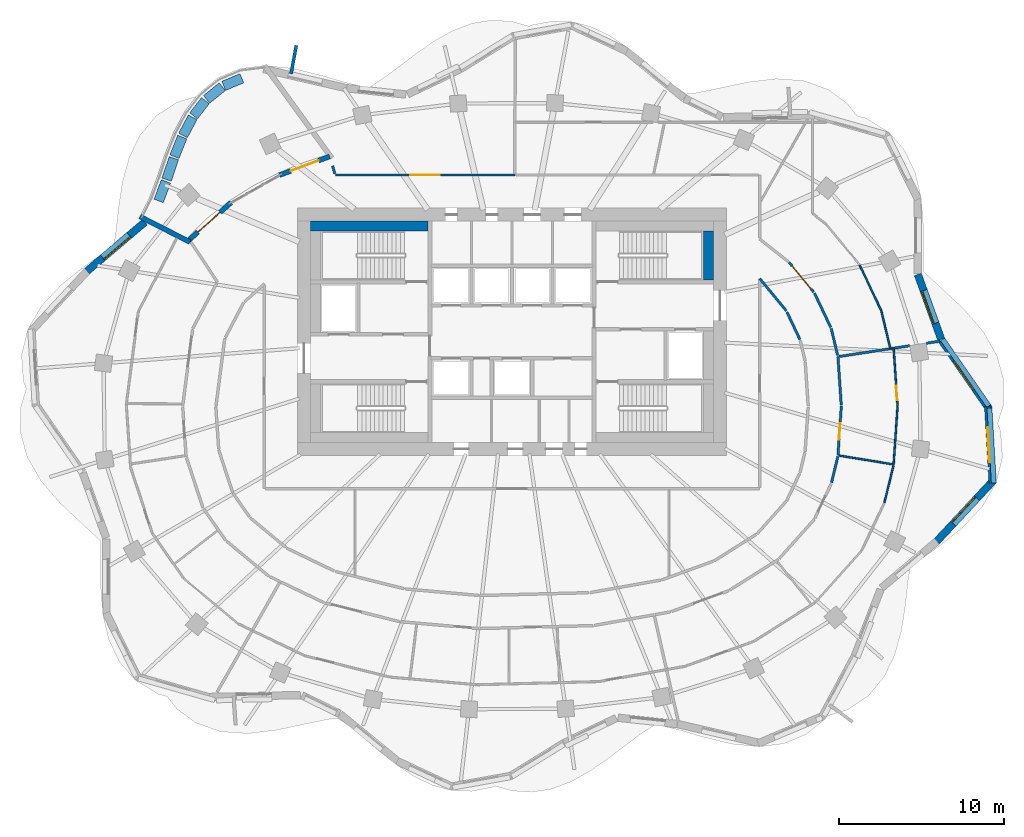
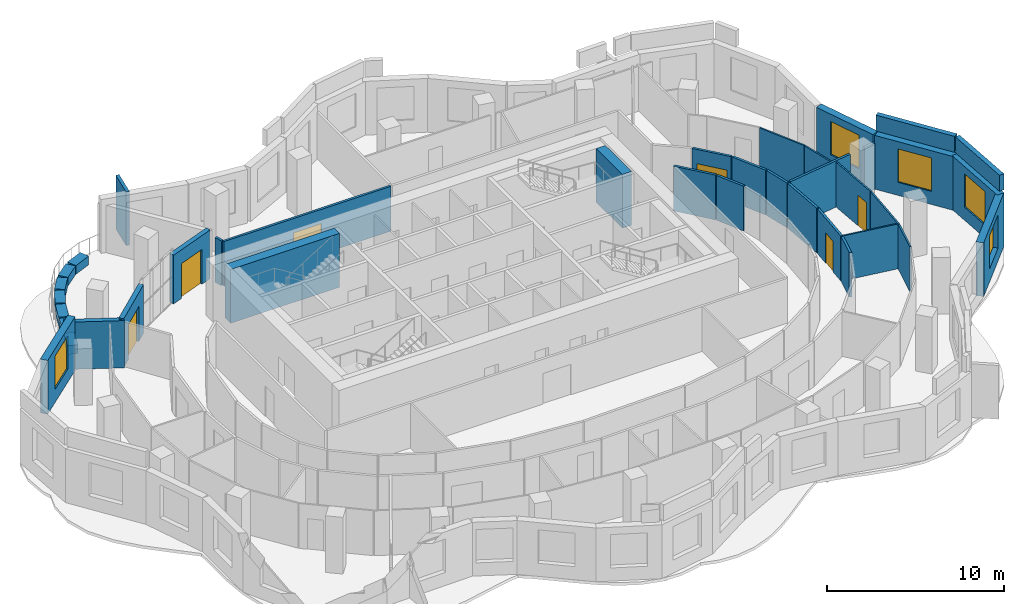
# One storey, part 9 of 13: 38 walls, 6 doors, 5 windows, 11 openings.
"""IFC4 building model written with IfcOpenShell, lengths in metres."""

from ifc_helpers import new_model, si_unit, direction, frame, frame_2d, origin, place, context, subcontext, project, spatial, rectangle, extrude, material, layer, layer_set, type_object, element, fill, save


model = new_model("IFC4")

# Units and contexts
model_context = context("Model", 3, precision=1e-05, world=origin(), true_north=direction((0.0, 1.0)))
body_context = subcontext(model_context, "Body", "Model", "MODEL_VIEW")
ifc_project = project(units=[si_unit("LENGTHUNIT", "METRE"), si_unit("AREAUNIT", "SQUARE_METRE"), si_unit("VOLUMEUNIT", "CUBIC_METRE"), si_unit("PLANEANGLEUNIT", "RADIAN"), si_unit("MASSUNIT", "GRAM", prefix="KILO")], contexts=[model_context])

# Site, building, storey
site_placement = place(None, origin())
site = spatial("IfcSite", under=ifc_project, at=site_placement, CompositionType="ELEMENT")
building_placement = place(site_placement, origin())
building = spatial("IfcBuilding", under=site, at=building_placement, Name="Rubra Terraces Tower", CompositionType="ELEMENT")
storey_placement = place(building_placement, frame((0.0, 0.0, 189.60009765625)))
storey = spatial("IfcBuildingStorey", under=building, at=storey_placement, Name="L46", CompositionType="ELEMENT", Elevation=189.60009765625)

# Wall, opening, window
ifc_material_1 = material(Name="Brick masonry red-brown", Category="masonry")
ifc_layer_1 = layer(ifc_material_1, 0.449951171875)
ifc_layer_set_1 = layer_set([ifc_layer_1], Name="Brick masonry red-brown")
wall_type_1 = type_object("IfcWallType", Name="Brick facade wall 450", PredefinedType="SOLIDWALL", material=ifc_layer_set_1)
wall_1_placement = place(storey_placement, frame((28.87841796875, -0.122802734375, 0.0), z_axis=(0.0, 0.0, 1.0), x_axis=(-0.569394732999, 0.8220642542, 0.0)))
wall_1 = element("IfcWall", 1, at=wall_1_placement, inside=storey, type_object=wall_type_1, Name="Facade wall L46 bay 1", PredefinedType="SOLIDWALL", context=body_context, shape_type="SweptSolid", body=[
    extrude(rectangle(XDim=5.015869140625, YDim=0.449951171875, at=frame_2d((2.5078125, 0.0))), origin(), (0.0, 0.0, 1.0), 3.699951171875),
])
opening_1_placement = place(wall_1_placement, frame((1.4580078125, 0.0, 0.89990234375)))
opening_1 = element("IfcOpeningElement", 2, at=opening_1_placement, cuts=wall_1, Name="Opening W1B", PredefinedType="OPENING", context=body_context, shape_type="SweptSolid", body=[
    extrude(rectangle(XDim=2.10009765625, YDim=2.300048828125, at=frame_2d((1.050048828125, 1.14990234375))), frame((0.0, 0.23486328125, 0.0), z_axis=(0.0, -1.0, 0.0), x_axis=(1.0, 0.0, 0.0)), (0.0, 0.0, 1.0), 0.469970703125),
])
ifc_material_2 = material(Name="Clear glass in aluminium frame", Category="aluminium")
window_type = type_object("IfcWindowType", Name="Fixed deep-set window tall storey 2100 x 2300", PartitioningType="SINGLE_PANEL", PredefinedType="WINDOW", material=ifc_material_2)
window_1_placement = place(opening_1_placement, origin())
window_1 = element("IfcWindow", 3, at=window_1_placement, inside=storey, type_object=window_type, Name="Window L46 bay 1", OverallHeight=2.300048828125, OverallWidth=2.10009765625, PartitioningType="SINGLE_PANEL", PredefinedType="WINDOW", context=body_context, shape_type="SweptSolid", body=[
    extrude(rectangle(XDim=2.10009765625, YDim=2.300048828125, at=frame_2d((1.050048828125, 1.14990234375))), frame((0.0, 0.135009765625, 0.0), z_axis=(0.0, -1.0, 0.0), x_axis=(1.0, 0.0, 0.0)), (0.0, 0.0, 1.0), 0.06005859375),
])
fill(opening_1, window_1)

wall_2_placement = place(storey_placement, frame((25.99951171875, 4.047119140625, 0.0), z_axis=(0.0, 0.0, 1.0), x_axis=(-0.338924456066, 0.940813591037, 0.0)))
wall_2 = element("IfcWall", 4, at=wall_2_placement, inside=storey, type_object=wall_type_1, Name="Facade wall L46 bay 2", PredefinedType="SOLIDWALL", context=body_context, shape_type="SweptSolid", body=[
    extrude(rectangle(XDim=4.175048828125, YDim=0.449951171875, at=frame_2d((2.08740234375, 0.0))), origin(), (0.0, 0.0, 1.0), 3.699951171875),
])
opening_2_placement = place(wall_2_placement, frame((1.03759765625, 0.0, 0.89990234375)))
opening_2 = element("IfcOpeningElement", 5, at=opening_2_placement, cuts=wall_2, Name="Opening W1B", PredefinedType="OPENING", context=body_context, shape_type="SweptSolid", body=[
    extrude(rectangle(XDim=2.10009765625, YDim=2.300048828125, at=frame_2d((1.050048828125, 1.14990234375))), frame((0.0, 0.23486328125, 0.0), z_axis=(0.0, -1.0, 0.0), x_axis=(1.0, 0.0, 0.0)), (0.0, 0.0, 1.0), 0.469970703125),
])
window_2_placement = place(opening_2_placement, origin())
window_2 = element("IfcWindow", 6, at=window_2_placement, inside=storey, type_object=window_type, Name="Window L46 bay 2", OverallHeight=2.300048828125, OverallWidth=2.10009765625, PartitioningType="SINGLE_PANEL", PredefinedType="WINDOW", context=body_context, shape_type="SweptSolid", body=[
    extrude(rectangle(XDim=2.10009765625, YDim=2.300048828125, at=frame_2d((1.050048828125, 1.14990234375))), frame((0.0, 0.135009765625, 0.0), z_axis=(0.0, -1.0, 0.0), x_axis=(1.0, 0.0, 0.0)), (0.0, 0.0, 1.0), 0.06005859375),
])
fill(opening_2, window_2)

wall_3_placement = place(storey_placement, frame((-22.237548828125, 11.146728515625, 0.0), z_axis=(0.0, 0.0, 1.0), x_axis=(-0.762838614755, -0.64658893266, 0.0)))
wall_3 = element("IfcWall", 7, at=wall_3_placement, inside=storey, type_object=wall_type_1, Name="Facade wall L46 bay 18", PredefinedType="SOLIDWALL", context=body_context, shape_type="SweptSolid", body=[
    extrude(rectangle(XDim=4.584716796875, YDim=0.449951171875, at=frame_2d((2.29248046875, 0.0))), origin(), (0.0, 0.0, 1.0), 3.699951171875),
])
opening_3_placement = place(wall_3_placement, frame((1.2421875, 0.0, 0.89990234375)))
opening_3 = element("IfcOpeningElement", 8, at=opening_3_placement, cuts=wall_3, Name="Opening W1B", PredefinedType="OPENING", context=body_context, shape_type="SweptSolid", body=[
    extrude(rectangle(XDim=2.10009765625, YDim=2.300048828125, at=frame_2d((1.050048828125, 1.14990234375))), frame((0.0, 0.23486328125, 0.0), z_axis=(0.0, -1.0, 0.0), x_axis=(1.0, 0.0, 0.0)), (0.0, 0.0, 1.0), 0.469970703125),
])
window_3_placement = place(opening_3_placement, origin())
window_3 = element("IfcWindow", 9, at=window_3_placement, inside=storey, type_object=window_type, Name="Window L46 bay 18", OverallHeight=2.300048828125, OverallWidth=2.10009765625, PartitioningType="SINGLE_PANEL", PredefinedType="WINDOW", context=body_context, shape_type="SweptSolid", body=[
    extrude(rectangle(XDim=2.10009765625, YDim=2.300048828125, at=frame_2d((1.050048828125, 1.14990234375))), frame((0.0, 0.135009765625, 0.0), z_axis=(0.0, -1.0, 0.0), x_axis=(1.0, 0.0, 0.0)), (0.0, 0.0, 1.0), 0.06005859375),
])
fill(opening_3, window_3)

wall_4_placement = place(storey_placement, frame((25.716796875, -8.20068359375, 0.0), z_axis=(0.0, 0.0, 1.0), x_axis=(0.681990073025, 0.731361429319, 0.0)))
wall_4 = element("IfcWall", 10, at=wall_4_placement, inside=storey, type_object=wall_type_1, Name="Facade wall L46 bay 39", PredefinedType="SOLIDWALL", context=body_context, shape_type="SweptSolid", body=[
    extrude(rectangle(XDim=5.063720703125, YDim=0.449951171875, at=frame_2d((2.53173828125, 0.0))), origin(), (0.0, 0.0, 1.0), 3.699951171875),
])
opening_4_placement = place(wall_4_placement, frame((1.481689453125, 0.0, 0.89990234375)))
opening_4 = element("IfcOpeningElement", 11, at=opening_4_placement, cuts=wall_4, Name="Opening W1B", PredefinedType="OPENING", context=body_context, shape_type="SweptSolid", body=[
    extrude(rectangle(XDim=2.10009765625, YDim=2.300048828125, at=frame_2d((1.050048828125, 1.14990234375))), frame((0.0, 0.23486328125, 0.0), z_axis=(0.0, -1.0, 0.0), x_axis=(1.0, 0.0, 0.0)), (0.0, 0.0, 1.0), 0.469970703125),
])
window_4_placement = place(opening_4_placement, origin())
window_4 = element("IfcWindow", 12, at=window_4_placement, inside=storey, type_object=window_type, Name="Window L46 bay 39", OverallHeight=2.300048828125, OverallWidth=2.10009765625, PartitioningType="SINGLE_PANEL", PredefinedType="WINDOW", context=body_context, shape_type="SweptSolid", body=[
    extrude(rectangle(XDim=2.10009765625, YDim=2.300048828125, at=frame_2d((1.050048828125, 1.14990234375))), frame((0.0, 0.135009765625, 0.0), z_axis=(0.0, -1.0, 0.0), x_axis=(1.0, 0.0, 0.0)), (0.0, 0.0, 1.0), 0.06005859375),
])
fill(opening_4, window_4)

wall_5_placement = place(storey_placement, frame((29.11328125, -4.66015625, 0.0), z_axis=(0.0, 0.0, 1.0), x_axis=(-0.058217785859, 0.998303906338, 0.0)))
wall_5 = element("IfcWall", 13, at=wall_5_placement, inside=storey, type_object=wall_type_1, Name="Facade wall L46 bay 40", PredefinedType="SOLIDWALL", context=body_context, shape_type="SweptSolid", body=[
    extrude(rectangle(XDim=4.65478515625, YDim=0.449951171875, at=frame_2d((2.327392578125, 0.0))), origin(), (0.0, 0.0, 1.0), 3.699951171875),
])
opening_5_placement = place(wall_5_placement, frame((1.27734375, 0.0, 0.89990234375)))
opening_5 = element("IfcOpeningElement", 14, at=opening_5_placement, cuts=wall_5, Name="Opening W1B", PredefinedType="OPENING", context=body_context, shape_type="SweptSolid", body=[
    extrude(rectangle(XDim=2.10009765625, YDim=2.300048828125, at=frame_2d((1.050048828125, 1.14990234375))), frame((0.0, 0.23486328125, 0.0), z_axis=(0.0, -1.0, 0.0), x_axis=(1.0, 0.0, 0.0)), (0.0, 0.0, 1.0), 0.469970703125),
])
window_5_placement = place(opening_5_placement, origin())
window_5 = element("IfcWindow", 15, at=window_5_placement, inside=storey, type_object=window_type, Name="Window L46 bay 40", OverallHeight=2.300048828125, OverallWidth=2.10009765625, PartitioningType="SINGLE_PANEL", PredefinedType="WINDOW", context=body_context, shape_type="SweptSolid", body=[
    extrude(rectangle(XDim=2.10009765625, YDim=2.300048828125, at=frame_2d((1.050048828125, 1.14990234375))), frame((0.0, 0.135009765625, 0.0), z_axis=(0.0, -1.0, 0.0), x_axis=(1.0, 0.0, 0.0)), (0.0, 0.0, 1.0), 0.06005859375),
])
fill(opening_5, window_5)

# Walls
ifc_layer_2 = layer(ifc_material_1, 0.300048828125)
ifc_layer_set_2 = layer_set([ifc_layer_2], Name="Brick masonry red-brown")
wall_type_2 = type_object("IfcWallType", Name="Brick parapet 300", PredefinedType="PARAPET", material=ifc_layer_set_2)
wall_6_placement = place(storey_placement, frame((28.878662109375, 0.008544921875, 3.89990234375), z_axis=(0.0, 0.0, 1.0), x_axis=(-0.569370412902, 0.822081098744, 0.0)))
element("IfcWall", 16, at=wall_6_placement, inside=storey, type_object=wall_type_2, Name="Parapet L46 bay 1", PredefinedType="PARAPET", context=body_context, shape_type="SweptSolid", body=[
    extrude(rectangle(XDim=4.90576171875, YDim=0.300048828125, at=frame_2d((2.452880859375, 0.0))), origin(), (0.0, 0.0, 1.0), 1.10009765625),
])
wall_7_placement = place(storey_placement, frame((29.188232421875, -4.65576171875, 3.89990234375), z_axis=(0.0, 0.0, 1.0), x_axis=(-0.058230319325, 0.998303175349, 0.0)))
element("IfcWall", 17, at=wall_7_placement, inside=storey, type_object=wall_type_2, Name="Parapet L46 bay 40", PredefinedType="PARAPET", context=body_context, shape_type="SweptSolid", body=[
    extrude(rectangle(XDim=4.540771484375, YDim=0.300048828125, at=frame_2d((2.2705078125, 0.0))), origin(), (0.0, 0.0, 1.0), 1.10009765625),
])
ifc_layer_3 = layer(ifc_material_1, 0.199951171875)
ifc_layer_set_3 = layer_set([ifc_layer_3], Name="Brick masonry red-brown")
wall_type_3 = type_object("IfcWallType", Name="Brick wind fin 200", PredefinedType="SOLIDWALL", material=ifc_layer_set_3)
wall_8_placement = place(storey_placement, frame((-13.384033203125, 20.1298828125, 0.0), z_axis=(0.0, 0.0, 1.0), x_axis=(0.182334037205, 0.983236644393, 0.0)))
element("IfcWall", 18, at=wall_8_placement, inside=storey, type_object=wall_type_3, Name="Wind fin L46 7", PredefinedType="SOLIDWALL", context=body_context, shape_type="SweptSolid", body=[
    extrude(rectangle(XDim=1.75, YDim=0.199951171875, at=frame_2d((0.875, 0.0))), origin(), (0.0, 0.0, 1.0), 3.699951171875),
])

# Wall, opening, door
ifc_material_3 = material(Name="Plasterboard on steel stud, mineral wool infill", Category="steel")
ifc_layer_4 = layer(ifc_material_3, 0.14990234375)
ifc_layer_set_4 = layer_set([ifc_layer_4], Name="Plasterboard on steel stud, mineral wool infill")
wall_type_4 = type_object("IfcWallType", Name="CORRIDOR PARTITION 150", PredefinedType="PARTITIONING", material=ifc_layer_set_4)
wall_9_placement = place(storey_placement, frame((0.173095703125, 14.0, 0.0), z_axis=(0.0, 0.0, 1.0), x_axis=(-1.0, 0.0, 0.0)))
wall_9 = element("IfcWall", 19, at=wall_9_placement, inside=storey, type_object=wall_type_4, Name="PARTITION", PredefinedType="PARTITIONING", context=body_context, shape_type="SweptSolid", body=[
    extrude(rectangle(XDim=10.879150390625, YDim=0.14990234375, at=frame_2d((5.439453125, 0.0))), origin(), (0.0, 0.0, 1.0), 3.083984375),
])
opening_6_placement = place(wall_9_placement, frame((4.5390625, 0.0, 0.0)))
opening_6 = element("IfcOpeningElement", 20, at=opening_6_placement, cuts=wall_9, Name="Opening 46-101", PredefinedType="OPENING", context=body_context, shape_type="SweptSolid", body=[
    extrude(rectangle(XDim=1.800048828125, YDim=2.10009765625, at=frame_2d((0.89990234375, 1.050048828125))), frame((0.0, 0.0849609375, 0.0), z_axis=(0.0, -1.0, 0.0), x_axis=(1.0, 0.0, 0.0)), (0.0, 0.0, 1.0), 0.169921875),
])
ifc_material_4 = material(Name="Painted timber door leaf, double", Category="wood")
door_type_1 = type_object("IfcDoorType", Name="ROOM DOUBLE DOOR 1800 X 2100", OperationType="DOUBLE_DOOR_SINGLE_SWING", PredefinedType="DOOR", material=ifc_material_4)
door_1_placement = place(opening_6_placement, origin())
door_1 = element("IfcDoor", 21, at=door_1_placement, inside=storey, type_object=door_type_1, Name="DOOR 46-101", OperationType="DOUBLE_DOOR_SINGLE_SWING", OverallHeight=2.10009765625, OverallWidth=1.800048828125, PredefinedType="DOOR", context=body_context, shape_type="SweptSolid", body=[
    extrude(rectangle(XDim=1.800048828125, YDim=2.10009765625, at=frame_2d((0.89990234375, 1.050048828125))), frame((0.0, 0.02490234375, 0.0), z_axis=(0.0, -1.0, 0.0), x_axis=(1.0, 0.0, 0.0)), (0.0, 0.0, 1.0), 0.050048828125),
])
fill(opening_6, door_1)

# Walls
wall_10_placement = place(storey_placement, frame((-10.8662109375, 14.552001953125, 0.0), z_axis=(0.0, 0.0, 1.0), x_axis=(0.278911917194, -0.960316688623, 0.0)))
element("IfcWall", 22, at=wall_10_placement, inside=storey, type_object=wall_type_4, Name="PARTITION", PredefinedType="PARTITIONING", context=body_context, shape_type="SweptSolid", body=[
    extrude(rectangle(XDim=0.499755859375, YDim=0.14990234375, at=frame_2d((0.25, 0.0))), origin(), (0.0, 0.0, 1.0), 3.083984375),
])
wall_11_placement = place(storey_placement, frame((19.355224609375, -4.6328125, 0.0), z_axis=(0.0, 0.0, 1.0), x_axis=(0.236703930685, 0.971581828359, 0.0)))
element("IfcWall", 23, at=wall_11_placement, inside=storey, type_object=wall_type_4, Name="PARTITION", PredefinedType="PARTITIONING", context=body_context, shape_type="SweptSolid", body=[
    extrude(rectangle(XDim=1.62646484375, YDim=0.14990234375, at=frame_2d((0.813232421875, 0.0))), origin(), (0.0, 0.0, 1.0), 3.083984375),
])

# Wall, opening, door
wall_12_placement = place(storey_placement, frame((19.745361328125, -2.9775390625, 0.0), z_axis=(0.0, 0.0, 1.0), x_axis=(0.068142324, 0.997675610447, 0.0)))
wall_12 = element("IfcWall", 24, at=wall_12_placement, inside=storey, type_object=wall_type_4, Name="PARTITION", PredefinedType="PARTITIONING", context=body_context, shape_type="SweptSolid", body=[
    extrude(rectangle(XDim=2.984375, YDim=0.14990234375, at=frame_2d((1.4921875, 0.0))), origin(), (0.0, 0.0, 1.0), 3.083984375),
])
opening_7_placement = place(wall_12_placement, frame((0.949951171875, 0.0, 0.0)))
opening_7 = element("IfcOpeningElement", 25, at=opening_7_placement, cuts=wall_12, Name="Opening 46-123", PredefinedType="OPENING", context=body_context, shape_type="SweptSolid", body=[
    extrude(rectangle(XDim=1.0, YDim=2.10009765625, at=frame_2d((0.5, 1.050048828125))), frame((0.0, 0.0849609375, 0.0), z_axis=(0.0, -1.0, 0.0), x_axis=(1.0, 0.0, 0.0)), (0.0, 0.0, 1.0), 0.169921875),
])
ifc_material_5 = material(Name="Painted timber door leaf", Category="wood")
door_type_2 = type_object("IfcDoorType", Name="ROOM DOOR 1000 X 2100", OperationType="SINGLE_SWING_LEFT", PredefinedType="DOOR", material=ifc_material_5)
door_2_placement = place(opening_7_placement, origin())
door_2 = element("IfcDoor", 26, at=door_2_placement, inside=storey, type_object=door_type_2, Name="DOOR 46-123", OperationType="SINGLE_SWING_RIGHT", OverallHeight=2.10009765625, OverallWidth=1.0, PredefinedType="DOOR", context=body_context, shape_type="SweptSolid", body=[
    extrude(rectangle(XDim=1.0, YDim=2.10009765625, at=frame_2d((0.5, 1.050048828125))), frame((0.0, 0.02490234375, 0.0), z_axis=(0.0, -1.0, 0.0), x_axis=(1.0, 0.0, 0.0)), (0.0, 0.0, 1.0), 0.050048828125),
])
fill(opening_7, door_2)

# Walls
wall_13_placement = place(storey_placement, frame((19.943603515625, 0.07470703125, 0.0), z_axis=(0.0, 0.0, 1.0), x_axis=(-0.068069178311, 0.997680603682, 0.0)))
element("IfcWall", 27, at=wall_13_placement, inside=storey, type_object=wall_type_4, Name="PARTITION", PredefinedType="PARTITIONING", context=body_context, shape_type="SweptSolid", body=[
    extrude(rectangle(XDim=2.9267578125, YDim=0.14990234375, at=frame_2d((1.46337890625, 0.0))), origin(), (0.0, 0.0, 1.0), 3.083984375),
])
wall_14_placement = place(storey_placement, frame((19.726806640625, 3.067626953125, 0.0), z_axis=(0.0, 0.0, 1.0), x_axis=(-0.231293770986, 0.972883955826, 0.0)))
element("IfcWall", 28, at=wall_14_placement, inside=storey, type_object=wall_type_4, Name="PARTITION", PredefinedType="PARTITIONING", context=body_context, shape_type="SweptSolid", body=[
    extrude(rectangle(XDim=1.68359375, YDim=0.14990234375, at=frame_2d((0.841796875, 0.0))), origin(), (0.0, 0.0, 1.0), 3.083984375),
])
wall_15_placement = place(storey_placement, frame((19.305419921875, 4.7734375, 0.0), z_axis=(0.0, 0.0, 1.0), x_axis=(-0.428173054138, 0.903696760927, 0.0)))
element("IfcWall", 29, at=wall_15_placement, inside=storey, type_object=wall_type_4, Name="PARTITION", PredefinedType="PARTITIONING", context=body_context, shape_type="SweptSolid", body=[
    extrude(rectangle(XDim=2.299560546875, YDim=0.14990234375, at=frame_2d((1.14990234375, 0.0))), origin(), (0.0, 0.0, 1.0), 3.083984375),
])

# Wall, opening, door
wall_16_placement = place(storey_placement, frame((18.273193359375, 6.9091796875, 0.0), z_axis=(0.0, 0.0, 1.0), x_axis=(-0.63653648943, 0.771246586783, 0.0)))
wall_16 = element("IfcWall", 30, at=wall_16_placement, inside=storey, type_object=wall_type_4, Name="PARTITION", PredefinedType="PARTITIONING", context=body_context, shape_type="SweptSolid", body=[
    extrude(rectangle(XDim=2.341552734375, YDim=0.14990234375, at=frame_2d((1.1708984375, 0.0))), origin(), (0.0, 0.0, 1.0), 3.083984375),
])
opening_8_placement = place(wall_16_placement, frame((0.25, 0.0, 0.0)))
opening_8 = element("IfcOpeningElement", 31, at=opening_8_placement, cuts=wall_16, Name="Opening 46-115", PredefinedType="OPENING", context=body_context, shape_type="SweptSolid", body=[
    extrude(rectangle(XDim=1.800048828125, YDim=2.10009765625, at=frame_2d((0.89990234375, 1.050048828125))), frame((0.0, 0.0849609375, 0.0), z_axis=(0.0, -1.0, 0.0), x_axis=(1.0, 0.0, 0.0)), (0.0, 0.0, 1.0), 0.169921875),
])
door_3_placement = place(opening_8_placement, origin())
door_3 = element("IfcDoor", 32, at=door_3_placement, inside=storey, type_object=door_type_1, Name="DOOR 46-115", OperationType="DOUBLE_DOOR_SINGLE_SWING", OverallHeight=2.10009765625, OverallWidth=1.800048828125, PredefinedType="DOOR", context=body_context, shape_type="SweptSolid", body=[
    extrude(rectangle(XDim=1.800048828125, YDim=2.10009765625, at=frame_2d((0.89990234375, 1.050048828125))), frame((0.0, 0.02490234375, 0.0), z_axis=(0.0, -1.0, 0.0), x_axis=(1.0, 0.0, 0.0)), (0.0, 0.0, 1.0), 0.050048828125),
])
fill(opening_8, door_3)

# Walls
wall_17_placement = place(storey_placement, frame((15.0, 7.73291015625, 0.0), z_axis=(0.0, 0.0, 1.0), x_axis=(0.636601263488, -0.771193121938, 0.0)))
element("IfcWall", 33, at=wall_17_placement, inside=storey, type_object=wall_type_4, Name="PARTITION", PredefinedType="PARTITIONING", context=body_context, shape_type="SweptSolid", body=[
    extrude(rectangle(XDim=2.544921875, YDim=0.14990234375, at=frame_2d((1.2724609375, 0.0))), origin(), (0.0, 0.0, 1.0), 3.083984375),
])
wall_18_placement = place(storey_placement, frame((16.652099609375, 5.702392578125, 0.0), z_axis=(0.0, 0.0, 1.0), x_axis=(0.428126129773, -0.903718992279, 0.0)))
element("IfcWall", 34, at=wall_18_placement, inside=storey, type_object=wall_type_4, Name="PARTITION", PredefinedType="PARTITIONING", context=body_context, shape_type="SweptSolid", body=[
    extrude(rectangle(XDim=1.846435546875, YDim=0.14990234375, at=frame_2d((0.92333984375, 0.0))), origin(), (0.0, 0.0, 1.0), 3.083984375),
])
ifc_material_6 = material(Name="Concrete C40", Category="concrete")
ifc_layer_5 = layer(ifc_material_6, 0.60009765625)
ifc_layer_set_5 = layer_set([ifc_layer_5], Name="Concrete C40")
wall_type_5 = type_object("IfcWallType", Name="Core lining wall 600 concrete", PredefinedType="SOLIDWALL", material=ifc_layer_set_5)
wall_19_placement = place(storey_placement, frame((-12.199951171875, 10.89990234375, 0.0), z_axis=(0.0, 0.0, 1.0), x_axis=(1.0, 0.0, 0.0)))
element("IfcWall", 35, at=wall_19_placement, inside=storey, type_object=wall_type_5, Name="CORE LINING WALL L46", PredefinedType="SOLIDWALL", context=body_context, shape_type="SweptSolid", body=[
    extrude(rectangle(XDim=7.099853515625, YDim=0.60009765625, at=frame_2d((3.5498046875, 0.0))), origin(), (0.0, 0.0, 1.0), 3.699951171875),
])
wall_20_placement = place(storey_placement, frame((11.89990234375, 10.60009765625, 0.0), z_axis=(0.0, 0.0, 1.0), x_axis=(0.0, -1.0, 0.0)))
element("IfcWall", 36, at=wall_20_placement, inside=storey, type_object=wall_type_5, Name="CORE LINING WALL L46", PredefinedType="SOLIDWALL", context=body_context, shape_type="SweptSolid", body=[
    extrude(rectangle(XDim=2.9501953125, YDim=0.60009765625, at=frame_2d((1.47509765625, 0.0))), origin(), (0.0, 0.0, 1.0), 3.699951171875),
])

# Wall, opening, door
ifc_material_7 = material(Name="Brick masonry with ochre lime render", Category="masonry")
ifc_layer_6 = layer(ifc_material_7, 0.300048828125)
ifc_layer_set_6 = layer_set([ifc_layer_6], Name="Brick masonry with ochre lime render")
wall_type_6 = type_object("IfcWallType", Name="Ochre rendered brick wall 300", PredefinedType="SOLIDWALL", material=ifc_layer_set_6)
wall_21_placement = place(storey_placement, frame((-11.039794921875, 15.12646484375, 0.0), z_axis=(0.0, 0.0, 1.0), x_axis=(-0.937240711156, -0.348683021312, 0.0)))
wall_21 = element("IfcWall", 37, at=wall_21_placement, inside=storey, type_object=wall_type_6, Name="Terrace wall L46 bay 15", PredefinedType="SOLIDWALL", context=body_context, shape_type="SweptSolid", body=[
    extrude(rectangle(XDim=3.246826171875, YDim=0.300048828125, at=frame_2d((1.62353515625, 0.0))), origin(), (0.0, 0.0, 1.0), 3.349853515625),
])
opening_9_placement = place(wall_21_placement, frame((0.723388671875, 0.0, 0.0)))
opening_9 = element("IfcOpeningElement", 38, at=opening_9_placement, cuts=wall_21, Name="Opening T46.1", PredefinedType="OPENING", context=body_context, shape_type="SweptSolid", body=[
    extrude(rectangle(XDim=1.800048828125, YDim=2.39990234375, at=frame_2d((0.89990234375, 1.199951171875))), frame((0.0, 0.159912109375, 0.0), z_axis=(0.0, -1.0, 0.0), x_axis=(1.0, 0.0, 0.0)), (0.0, 0.0, 1.0), 0.320068359375),
])
ifc_material_8 = material(Name="Glazed aluminium door leaf", Category="aluminium")
door_type_3 = type_object("IfcDoorType", Name="Terrace double door 1800 x 2400", OperationType="DOUBLE_DOOR_DOUBLE_SWING", PredefinedType="DOOR", material=ifc_material_8)
door_4_placement = place(opening_9_placement, origin())
door_4 = element("IfcDoor", 39, at=door_4_placement, inside=storey, type_object=door_type_3, Name="Terrace door L46.1", OperationType="DOUBLE_DOOR_DOUBLE_SWING", OverallHeight=2.39990234375, OverallWidth=1.800048828125, PredefinedType="DOOR", context=body_context, shape_type="SweptSolid", body=[
    extrude(rectangle(XDim=1.800048828125, YDim=2.39990234375, at=frame_2d((0.89990234375, 1.199951171875))), frame((0.0, 0.02490234375, 0.0), z_axis=(0.0, -1.0, 0.0), x_axis=(1.0, 0.0, 0.0)), (0.0, 0.0, 1.0), 0.050048828125),
])
fill(opening_9, door_4)

wall_22_placement = place(storey_placement, frame((-17.022216796875, 12.328125, 0.0), z_axis=(0.0, 0.0, 1.0), x_axis=(-0.74635077665, -0.66555279144, 0.0)))
wall_22 = element("IfcWall", 40, at=wall_22_placement, inside=storey, type_object=wall_type_6, Name="Terrace wall L46 bay 17", PredefinedType="SOLIDWALL", context=body_context, shape_type="SweptSolid", body=[
    extrude(rectangle(XDim=3.553466796875, YDim=0.300048828125, at=frame_2d((1.77685546875, 0.0))), origin(), (0.0, 0.0, 1.0), 3.349853515625),
])
opening_10_placement = place(wall_22_placement, frame((0.876708984375, 0.0, 0.0)))
opening_10 = element("IfcOpeningElement", 41, at=opening_10_placement, cuts=wall_22, Name="Opening T46.2", PredefinedType="OPENING", context=body_context, shape_type="SweptSolid", body=[
    extrude(rectangle(XDim=1.800048828125, YDim=2.39990234375, at=frame_2d((0.89990234375, 1.199951171875))), frame((0.0, 0.159912109375, 0.0), z_axis=(0.0, -1.0, 0.0), x_axis=(1.0, 0.0, 0.0)), (0.0, 0.0, 1.0), 0.320068359375),
])
door_5_placement = place(opening_10_placement, origin())
door_5 = element("IfcDoor", 42, at=door_5_placement, inside=storey, type_object=door_type_3, Name="Terrace door L46.2", OperationType="DOUBLE_DOOR_DOUBLE_SWING", OverallHeight=2.39990234375, OverallWidth=1.800048828125, PredefinedType="DOOR", context=body_context, shape_type="SweptSolid", body=[
    extrude(rectangle(XDim=1.800048828125, YDim=2.39990234375, at=frame_2d((0.89990234375, 1.199951171875))), frame((0.0, 0.02490234375, 0.0), z_axis=(0.0, -1.0, 0.0), x_axis=(1.0, 0.0, 0.0)), (0.0, 0.0, 1.0), 0.050048828125),
])
fill(opening_10, door_5)

# Walls
ifc_layer_7 = layer(ifc_material_7, 0.60009765625)
ifc_layer_set_7 = layer_set([ifc_layer_7], Name="Brick masonry with ochre lime render")
wall_type_7 = type_object("IfcWallType", Name="Planter box 600", PredefinedType="SOLIDWALL", material=ifc_layer_set_7)
wall_23_placement = place(storey_placement, frame((-16.36328125, 19.859130859375, 0.0), z_axis=(0.0, 0.0, 1.0), x_axis=(-0.923004085697, -0.384790147726, 0.0)))
element("IfcWall", 43, at=wall_23_placement, inside=storey, type_object=wall_type_7, Name="Planter L46.2", PredefinedType="SOLIDWALL", context=body_context, shape_type="SweptSolid", body=[
    extrude(rectangle(XDim=1.190185546875, YDim=0.60009765625, at=frame_2d((0.59521484375, 0.0))), origin(), (0.0, 0.0, 1.0), 0.599853515625),
])
wall_24_placement = place(storey_placement, frame((-17.546875, 19.3505859375, 0.0), z_axis=(0.0, 0.0, 1.0), x_axis=(-0.777810165386, -0.628499281322, 0.0)))
element("IfcWall", 44, at=wall_24_placement, inside=storey, type_object=wall_type_7, Name="Planter L46.3", PredefinedType="SOLIDWALL", context=body_context, shape_type="SweptSolid", body=[
    extrude(rectangle(XDim=1.226318359375, YDim=0.60009765625, at=frame_2d((0.61328125, 0.0))), origin(), (0.0, 0.0, 1.0), 0.599853515625),
])
wall_25_placement = place(storey_placement, frame((-18.5703125, 18.5087890625, 0.0), z_axis=(0.0, 0.0, 1.0), x_axis=(-0.611921285633, -0.790918668505, 0.0)))
element("IfcWall", 45, at=wall_25_placement, inside=storey, type_object=wall_type_7, Name="Planter L46.4", PredefinedType="SOLIDWALL", context=body_context, shape_type="SweptSolid", body=[
    extrude(rectangle(XDim=1.173095703125, YDim=0.60009765625, at=frame_2d((0.58642578125, 0.0))), origin(), (0.0, 0.0, 1.0), 0.599853515625),
])
wall_26_placement = place(storey_placement, frame((-19.34228515625, 17.497314453125, 0.0), z_axis=(0.0, 0.0, 1.0), x_axis=(-0.469888370812, -0.882725845875, 0.0)))
element("IfcWall", 46, at=wall_26_placement, inside=storey, type_object=wall_type_7, Name="Planter L46.5", PredefinedType="SOLIDWALL", context=body_context, shape_type="SweptSolid", body=[
    extrude(rectangle(XDim=1.24951171875, YDim=0.60009765625, at=frame_2d((0.624755859375, 0.0))), origin(), (0.0, 0.0, 1.0), 0.599853515625),
])
wall_27_placement = place(storey_placement, frame((-19.9716796875, 16.3037109375, 0.0), z_axis=(0.0, 0.0, 1.0), x_axis=(-0.370701208794, -0.928752181046, 0.0)))
element("IfcWall", 47, at=wall_27_placement, inside=storey, type_object=wall_type_7, Name="Planter L46.6", PredefinedType="SOLIDWALL", context=body_context, shape_type="SweptSolid", body=[
    extrude(rectangle(XDim=1.2822265625, YDim=0.60009765625, at=frame_2d((0.64111328125, 0.0))), origin(), (0.0, 0.0, 1.0), 0.599853515625),
])
wall_28_placement = place(storey_placement, frame((-20.4814453125, 15.01904296875, 0.0), z_axis=(0.0, 0.0, 1.0), x_axis=(-0.322528797127, -0.946559652121, 0.0)))
element("IfcWall", 48, at=wall_28_placement, inside=storey, type_object=wall_type_7, Name="Planter L46.7", PredefinedType="SOLIDWALL", context=body_context, shape_type="SweptSolid", body=[
    extrude(rectangle(XDim=1.3701171875, YDim=0.60009765625, at=frame_2d((0.68505859375, 0.0))), origin(), (0.0, 0.0, 1.0), 0.599853515625),
])
wall_29_placement = place(storey_placement, frame((-20.96240234375, 13.61279296875, 0.0), z_axis=(0.0, 0.0, 1.0), x_axis=(-0.348026236874, -0.937484793715, 0.0)))
element("IfcWall", 49, at=wall_29_placement, inside=storey, type_object=wall_type_7, Name="Planter L46.9", PredefinedType="SOLIDWALL", context=body_context, shape_type="SweptSolid", body=[
    extrude(rectangle(XDim=1.261962890625, YDim=0.60009765625, at=frame_2d((0.630859375, 0.0))), origin(), (0.0, 0.0, 1.0), 0.599853515625),
])

# Wall, opening, door
ifc_material_9 = material(Name="Plasterboard on steel stud", Category="steel")
ifc_layer_8 = layer(ifc_material_9, 0.10009765625)
ifc_layer_set_8 = layer_set([ifc_layer_8], Name="Plasterboard on steel stud")
wall_type_8 = type_object("IfcWallType", Name="ROOM PARTITION 100", PredefinedType="PARTITIONING", material=ifc_layer_set_8)
wall_30_placement = place(storey_placement, frame((23.118408203125, 3.488037109375, 0.0), z_axis=(0.0, 0.0, 1.0), x_axis=(0.068155004578, -0.997674744268, 0.0)))
wall_30 = element("IfcWall", 50, at=wall_30_placement, inside=storey, type_object=wall_type_8, Name="PARTITION", PredefinedType="PARTITIONING", context=body_context, shape_type="SweptSolid", body=[
    extrude(rectangle(XDim=3.49609375, YDim=0.10009765625, at=frame_2d((1.748046875, 0.0))), origin(), (0.0, 0.0, 1.0), 3.083984375),
])
opening_11_placement = place(wall_30_placement, frame((2.25, 0.0, 0.0)))
opening_11 = element("IfcOpeningElement", 51, at=opening_11_placement, cuts=wall_30, Name="Opening 46-114", PredefinedType="OPENING", context=body_context, shape_type="SweptSolid", body=[
    extrude(rectangle(XDim=0.89990234375, YDim=2.10009765625, at=frame_2d((0.449951171875, 1.050048828125))), frame((0.0, 0.06005859375, 0.0), z_axis=(0.0, -1.0, 0.0), x_axis=(1.0, 0.0, 0.0)), (0.0, 0.0, 1.0), 0.1201171875),
])
door_type_4 = type_object("IfcDoorType", Name="ROOM DOOR 900 X 2100", OperationType="SINGLE_SWING_LEFT", PredefinedType="DOOR", material=ifc_material_5)
door_6_placement = place(opening_11_placement, origin())
door_6 = element("IfcDoor", 52, at=door_6_placement, inside=storey, type_object=door_type_4, Name="DOOR 46-114", OperationType="SINGLE_SWING_RIGHT", OverallHeight=2.10009765625, OverallWidth=0.89990234375, PredefinedType="DOOR", context=body_context, shape_type="SweptSolid", body=[
    extrude(rectangle(XDim=0.89990234375, YDim=2.10009765625, at=frame_2d((0.449951171875, 1.050048828125))), frame((0.0, 0.02490234375, 0.0), z_axis=(0.0, -1.0, 0.0), x_axis=(1.0, 0.0, 0.0)), (0.0, 0.0, 1.0), 0.050048828125),
])
fill(opening_11, door_6)

# Walls
wall_31_placement = place(storey_placement, frame((23.353515625, -0.0498046875, 0.0), z_axis=(0.0, 0.0, 1.0), x_axis=(-0.06820679361, -0.99767120501, 0.0)))
element("IfcWall", 53, at=wall_31_placement, inside=storey, type_object=wall_type_8, Name="PARTITION", PredefinedType="PARTITIONING", context=body_context, shape_type="SweptSolid", body=[
    extrude(rectangle(XDim=3.532958984375, YDim=0.10009765625, at=frame_2d((1.7666015625, 0.0))), origin(), (0.0, 0.0, 1.0), 3.083984375),
])
wall_32_placement = place(storey_placement, frame((23.100830078125, -3.623046875, 0.0), z_axis=(0.0, 0.0, 1.0), x_axis=(-0.236811358433, -0.971555649727, 0.0)))
element("IfcWall", 54, at=wall_32_placement, inside=storey, type_object=wall_type_8, Name="PARTITION", PredefinedType="PARTITIONING", context=body_context, shape_type="SweptSolid", body=[
    extrude(rectangle(XDim=2.289794921875, YDim=0.10009765625, at=frame_2d((1.14501953125, 0.0))), origin(), (0.0, 0.0, 1.0), 3.083984375),
])
wall_33_placement = place(storey_placement, frame((19.819091796875, -2.995361328125, 0.0), z_axis=(0.0, 0.0, 1.0), x_axis=(0.987008638383, -0.160667195647, 0.0)))
element("IfcWall", 55, at=wall_33_placement, inside=storey, type_object=wall_type_8, Name="PARTITION", PredefinedType="PARTITIONING", context=body_context, shape_type="SweptSolid", body=[
    extrude(rectangle(XDim=3.289794921875, YDim=0.10009765625, at=frame_2d((1.64501953125, 0.0))), origin(), (0.0, 0.0, 1.0), 3.083984375),
])
wall_34_placement = place(storey_placement, frame((21.063720703125, 8.5361328125, 0.0), z_axis=(0.0, 0.0, 1.0), x_axis=(0.428120762572, -0.903721534907, 0.0)))
element("IfcWall", 56, at=wall_34_placement, inside=storey, type_object=wall_type_8, Name="PARTITION", PredefinedType="PARTITIONING", context=body_context, shape_type="SweptSolid", body=[
    extrude(rectangle(XDim=3.049072265625, YDim=0.10009765625, at=frame_2d((1.5244140625, 0.0))), origin(), (0.0, 0.0, 1.0), 3.083984375),
])
wall_35_placement = place(storey_placement, frame((22.380859375, 5.73193359375, 0.0), z_axis=(0.0, 0.0, 1.0), x_axis=(0.233473432697, -0.972363181237, 0.0)))
element("IfcWall", 57, at=wall_35_placement, inside=storey, type_object=wall_type_8, Name="PARTITION", PredefinedType="PARTITIONING", context=body_context, shape_type="SweptSolid", body=[
    extrude(rectangle(XDim=2.29736328125, YDim=0.10009765625, at=frame_2d((1.148681640625, 0.0))), origin(), (0.0, 0.0, 1.0), 3.083984375),
])
ifc_layer_9 = layer(ifc_material_9, 0.14990234375)
ifc_layer_set_9 = layer_set([ifc_layer_9], Name="Plasterboard on steel stud")
wall_type_9 = type_object("IfcWallType", Name="ROOM PARTITION 150", PredefinedType="PARTITIONING", material=ifc_layer_set_9)
wall_36_placement = place(storey_placement, frame((25.919921875, 3.934814453125, 0.0), z_axis=(0.0, 0.0, 1.0), x_axis=(-0.988606403982, -0.150523679218, 0.0)))
element("IfcWall", 58, at=wall_36_placement, inside=storey, type_object=wall_type_9, Name="PARTITION", PredefinedType="PARTITIONING", context=body_context, shape_type="SweptSolid", body=[
    extrude(rectangle(XDim=0.82568359375, YDim=0.14990234375, at=frame_2d((0.412841796875, 0.0))), origin(), (0.0, 0.0, 1.0), 3.183837890625),
])
wall_37_placement = place(storey_placement, frame((24.07568359375, 3.654052734375, 0.0), z_axis=(0.0, 0.0, 1.0), x_axis=(-0.988615537638, -0.150463679143, 0.0)))
element("IfcWall", 59, at=wall_37_placement, inside=storey, type_object=wall_type_9, Name="PARTITION", PredefinedType="PARTITIONING", context=body_context, shape_type="SweptSolid", body=[
    extrude(rectangle(XDim=4.306396484375, YDim=0.14990234375, at=frame_2d((2.1533203125, 0.0))), origin(), (0.0, 0.0, 1.0), 3.183837890625),
])
ifc_material_10 = material(Name="Brick masonry with rose lime render", Category="masonry")
ifc_layer_10 = layer(ifc_material_10, 0.300048828125)
ifc_layer_set_10 = layer_set([ifc_layer_10], Name="Brick masonry with rose lime render")
wall_type_10 = type_object("IfcWallType", Name="Rose rendered brick wall 300", PredefinedType="SOLIDWALL", material=ifc_layer_set_10)
wall_38_placement = place(storey_placement, frame((-22.5380859375, 11.48388671875, 0.0), z_axis=(0.0, 0.0, 1.0), x_axis=(0.890942009073, -0.454117095548, 0.0)))
element("IfcWall", 60, at=wall_38_placement, inside=storey, type_object=wall_type_10, Name="Terrace side wall L46.2", PredefinedType="SOLIDWALL", context=body_context, shape_type="SweptSolid", body=[
    extrude(rectangle(XDim=3.402587890625, YDim=0.300048828125, at=frame_2d((1.701171875, 0.0))), origin(), (0.0, 0.0, 1.0), 3.25390625),
])

save(model, "model.ifc")
